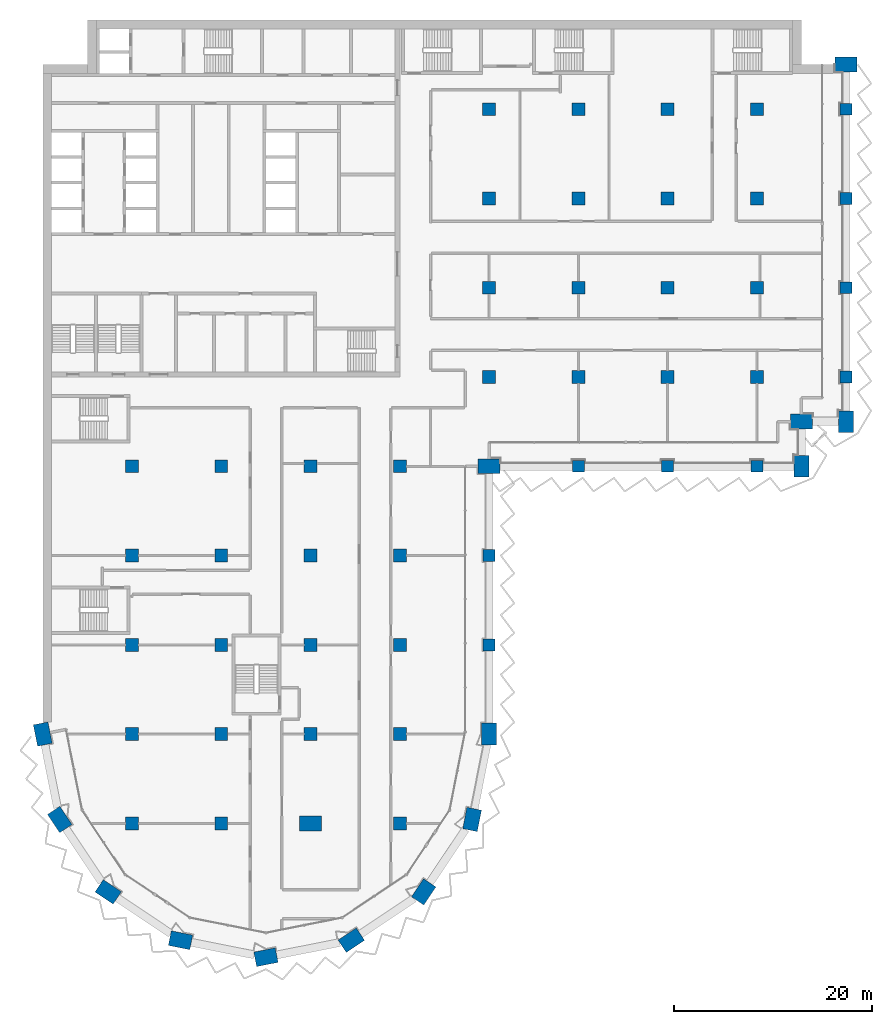
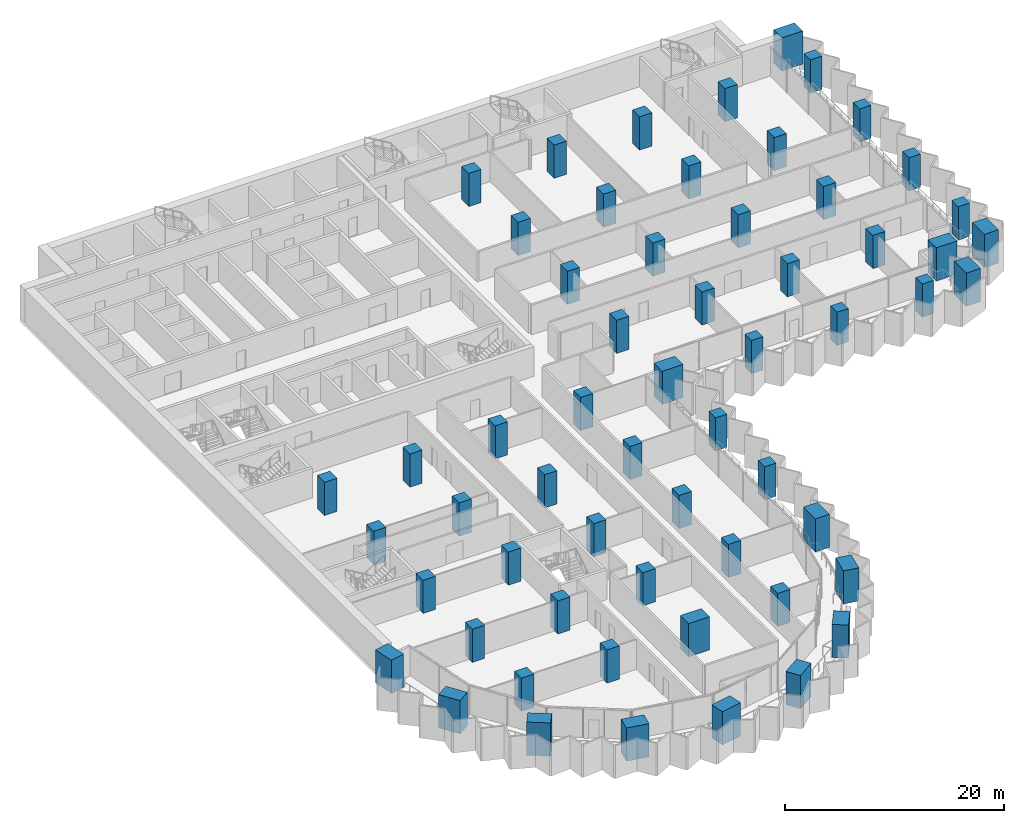
# One storey, part 1 of 23: 59 columns.
"""IFC4 building model written with IfcOpenShell, lengths in metres."""

import ifcopenshell
import ifcopenshell.guid

model = None  # the IFC model being written
_history = None  # IfcOwnerHistory: only IFC2X3 demands one
_inside = {}  # id of a spatial element -> (the spatial element, [elements in it])
_under = {}  # id of a project, library or spatial element -> (it, [spatial elements below it])
_declared = {}  # id of a project -> (the project, [libraries it declares])
_typed = {}  # id of a type object -> (the type object, [elements of that type])
_made_of = {}  # id of a material, layer set ... -> (it, [elements and type objects made of it])


def new_model(schema):
    """Start an empty IFC model of exactly this schema.

    Asked for "IFC4X3", IfcOpenShell would pick the latest addendum, in which some entities
    have other attributes; the version numbers below select the first issue.
    IFC2X3 requires an IfcOwnerHistory on every rooted entity: one is made here for all.
    """
    global model, _history
    if schema == "IFC4X3":
        model = ifcopenshell.file(schema_version=(4, 3, 0, 0))
    else:
        model = ifcopenshell.file(schema=schema)
    _inside.clear()
    _under.clear()
    _declared.clear()
    _typed.clear()
    _made_of.clear()
    _history = None
    if model.schema == "IFC2X3":
        org = make("IfcOrganization", Name="unknown")
        user = make(
            "IfcPersonAndOrganization",
            ThePerson=make("IfcPerson", FamilyName="unknown"),
            TheOrganization=org,
        )
        app = make(
            "IfcApplication",
            ApplicationDeveloper=org,
            Version="unknown",
            ApplicationFullName="unknown",
            ApplicationIdentifier="unknown",
        )
        _history = make(
            "IfcOwnerHistory",
            OwningUser=user,
            OwningApplication=app,
            ChangeAction="ADDED",
            CreationDate=0,
        )
    return model


def make(cls, **values):
    """One entity of the class cls with the attributes given. An attribute that is None is left unset."""
    return model.create_entity(
        cls, **{name: value for name, value in values.items() if value is not None}
    )


def rooted(cls, **values):
    """An entity with a GlobalId (a new one), such as an element, a storey or a relation."""
    return make(cls, GlobalId=ifcopenshell.guid.new(), OwnerHistory=_history, **values)


def si_unit(unit_type, name, prefix=None):
    """IfcSIUnit, for example si_unit("LENGTHUNIT", "METRE", prefix="MILLI")."""
    return make("IfcSIUnit", UnitType=unit_type, Prefix=prefix, Name=name)


def assignment(units):
    """IfcUnitAssignment: the units of a project."""
    return None if units is None else make("IfcUnitAssignment", Units=units)


def point(xyz):
    """IfcCartesianPoint."""
    return None if xyz is None else make("IfcCartesianPoint", Coordinates=xyz)


def direction(xyz):
    """IfcDirection."""
    return None if xyz is None else make("IfcDirection", DirectionRatios=xyz)


def frame(location, z_axis=None, x_axis=None):
    """IfcAxis2Placement3D, a coordinate frame: its origin and axes. An axis left out is left unset."""
    return make(
        "IfcAxis2Placement3D",
        Location=point(location),
        Axis=direction(z_axis),
        RefDirection=direction(x_axis),
    )


def frame_2d(location, x_axis=None):
    """IfcAxis2Placement2D, a coordinate frame in the plane: its origin and x axis."""
    return make(
        "IfcAxis2Placement2D", Location=point(location), RefDirection=direction(x_axis)
    )


def origin():
    """The frame at (0, 0, 0) with its axes left unset."""
    return frame((0.0, 0.0, 0.0))


def origin_2d():
    """The frame at (0, 0) in the plane with its x axis left unset."""
    return frame_2d((0.0, 0.0))


def place(relative_to, where):
    """IfcLocalPlacement: puts the frame where relative to a parent placement (None: the world)."""
    return make(
        "IfcLocalPlacement", PlacementRelTo=relative_to, RelativePlacement=where
    )


def context(
    kind, dimensions, precision=None, world=None, true_north=None, identifier=None
):
    """IfcGeometricRepresentationContext, for example the 3D "Model" context."""
    return make(
        "IfcGeometricRepresentationContext",
        ContextIdentifier=identifier,
        ContextType=kind,
        CoordinateSpaceDimension=dimensions,
        Precision=precision,
        WorldCoordinateSystem=world,
        TrueNorth=true_north,
    )


def subcontext(parent, identifier, kind, view, scale=None):
    """IfcGeometricRepresentationSubContext, for example "Body" below "Model"."""
    return make(
        "IfcGeometricRepresentationSubContext",
        ContextIdentifier=identifier,
        ContextType=kind,
        ParentContext=parent,
        TargetScale=scale,
        TargetView=view,
    )


def project(units=None, contexts=None):
    """IfcProject with its units and contexts."""
    return rooted(
        "IfcProject",
        Name="project",
        RepresentationContexts=contexts,
        UnitsInContext=assignment(units),
    )


def spatial(cls, under=None, at=None, **own):
    """A site, building, storey or space (cls), placed at a placement, below another one or the project."""
    s = rooted(cls, ObjectPlacement=at, **own)
    if under is not None:
        _under.setdefault(under.id(), (under, []))[1].append(s)
    return s


def profile(cls, at=None, kind="AREA", **sizes):
    """A parametric profile (cls). Its sizes go by their IFC names, for example OverallWidth=200.0."""
    return make(cls, ProfileType=kind, Position=at, **sizes)


def rectangle(**sizes):
    """IfcRectangleProfileDef."""
    return profile("IfcRectangleProfileDef", **sizes)


def extrude(swept, where, along, depth):
    """IfcExtrudedAreaSolid: the profile swept, set in the frame where, extruded along a direction by depth."""
    return make(
        "IfcExtrudedAreaSolid",
        SweptArea=swept,
        Position=where,
        ExtrudedDirection=direction(along),
        Depth=depth,
    )


def shape(context_of_items, identifier, shape_type, items):
    """IfcShapeRepresentation: the items that make up one representation, for example the "Body"."""
    return make(
        "IfcShapeRepresentation",
        ContextOfItems=context_of_items,
        RepresentationIdentifier=identifier,
        RepresentationType=shape_type,
        Items=items,
    )


def material(Name=None, Category=None):
    """IfcMaterial."""
    return make("IfcMaterial", Name=Name, Category=Category)


def material_profile(
    of_material, cross_section, Name=None, Category=None, Priority=None
):
    """IfcMaterialProfile: a cross section and its material."""
    return make(
        "IfcMaterialProfile",
        Name=Name,
        Material=of_material,
        Profile=cross_section,
        Priority=Priority,
        Category=Category,
    )


def profile_set(profiles, Name=None, composite=None):
    """IfcMaterialProfileSet."""
    return make(
        "IfcMaterialProfileSet",
        Name=Name,
        MaterialProfiles=profiles,
        CompositeProfile=composite,
    )


def made_of(thing, what):
    """Note that an element or type object is made of a material, layer set ...; save() writes the relation."""
    if what is not None:
        _made_of.setdefault(what.id(), (what, []))[1].append(thing)
    return thing


def type_object(cls, material=None, **own):
    """A type object (cls), such as IfcWallType, which elements share."""
    return made_of(rooted(cls, **own), material)


def element(
    cls,
    number,
    at=None,
    inside=None,
    cuts=None,
    type_object=None,
    material=None,
    context=None,
    identifier="Body",
    shape_type=None,
    held_by="IfcProductDefinitionShape",
    body=None,
    shapes=None,
    **own,
):
    """One element of the class cls, such as IfcWall. Its Tag is "e" and its number.

    at: its placement. inside: the storey or other place that contains it. cuts: it is an
    opening in that element (IfcRelVoidsElement). A single representation is given by context,
    identifier, shape_type and body (its items); several are given by shapes. held_by: the class
    of the entity that holds the representations. save() writes the other relations.
    """
    e = rooted(cls, Tag="e%d" % number, ObjectPlacement=at, **own)
    if body is not None:
        shapes = [shape(context, identifier, shape_type, body)]
    if shapes is not None:
        e.Representation = make(held_by, Representations=shapes)
    if inside is not None:
        _inside.setdefault(inside.id(), (inside, []))[1].append(e)
    if cuts is not None:
        rooted(
            "IfcRelVoidsElement", RelatingBuildingElement=cuts, RelatedOpeningElement=e
        )
    if type_object is not None:
        _typed.setdefault(type_object.id(), (type_object, []))[1].append(e)
    return made_of(e, material)


def aggregate(whole, parts):
    """IfcRelAggregates: a whole, such as a stair, and the parts it consists of."""
    return rooted("IfcRelAggregates", RelatingObject=whole, RelatedObjects=parts)


def save(model, path):
    """Write the relations noted so far, then the file.

    IfcRelAggregates (storeys below a building ...), IfcRelContainedInSpatialStructure (elements
    in a storey), IfcRelDefinesByType, IfcRelAssociatesMaterial and IfcRelDeclares: one each for
    every whole, place, type object, material and project.
    """
    for whole, parts in _under.values():
        aggregate(whole, parts)
    for where, things in _inside.values():
        rooted(
            "IfcRelContainedInSpatialStructure",
            RelatedElements=things,
            RelatingStructure=where,
        )
    for kind, things in _typed.values():
        rooted("IfcRelDefinesByType", RelatedObjects=things, RelatingType=kind)
    for what, things in _made_of.values():
        rooted("IfcRelAssociatesMaterial", RelatedObjects=things, RelatingMaterial=what)
    for by, libraries in _declared.values():
        rooted("IfcRelDeclares", RelatingContext=by, RelatedDefinitions=libraries)
    model.write(path)


model = new_model("IFC4")

# Units and contexts
model_context = context("Model", 3, precision=1e-05, world=origin(), true_north=direction((0.0, 1.0)))
body_context = subcontext(model_context, "Body", "Model", "MODEL_VIEW")
ifc_project = project(units=[si_unit("LENGTHUNIT", "METRE"), si_unit("AREAUNIT", "SQUARE_METRE"), si_unit("VOLUMEUNIT", "CUBIC_METRE"), si_unit("PLANEANGLEUNIT", "RADIAN"), si_unit("MASSUNIT", "GRAM", prefix="KILO")], contexts=[model_context])

# Site, building, storey
site_placement = place(None, origin())
site = spatial("IfcSite", under=ifc_project, at=site_placement, CompositionType="ELEMENT")
building_placement = place(site_placement, origin())
building = spatial("IfcBuilding", under=site, at=building_placement, Name="Hunhe Ridgeline Campus", CompositionType="ELEMENT")
storey_placement = place(building_placement, frame((0.0, 0.0, 99.60009765625)))
storey = spatial("IfcBuildingStorey", under=building, at=storey_placement, Name="L24", CompositionType="ELEMENT", Elevation=99.60009765625)

# Columns
ifc_material = material(Name="Concrete C70", Category="concrete")
ifc_material_profile_1 = material_profile(ifc_material, rectangle(XDim=2.199951171875, YDim=1.5, at=origin_2d()))
ifc_profile_set_1 = profile_set([ifc_material_profile_1], Name="Concrete C70")
column_type_1 = type_object("IfcColumnType", Name="Megacolumn 2200x1500 Concrete C70", PredefinedType="COLUMN", material=ifc_profile_set_1)
for number, where, z_axis, x_axis, name in (
    (1, (22.5, 4.5, 0.0), (0.0, 0.0, 1.0), (0.980785280403, 0.195090322016, 0.0), "Column C6 R1 L24"),
    (2, (13.8896484375, 6.212646484375, 0.0), (0.0, 0.0, 1.0), (-0.980785280403, 0.195090322016, 0.0), "Column C6 R2 L24"),
    (3, (31.1103515625, 6.212646484375, 0.0), (0.0, 0.0, 1.0), (0.831469612303, 0.55557023302, 0.0), "Column C6 R3 L24"),
    (4, (6.590087890625, 11.090087890625, 0.0), (0.0, 0.0, 1.0), (-0.831469612303, 0.55557023302, 0.0), "Column C6 R4 L24"),
    (5, (38.409912109375, 11.090087890625, 0.0), (0.0, 0.0, 1.0), (0.55557023302, 0.831469612303, 0.0), "Column C6 R5 L24"),
    (6, (1.712646484375, 18.3896484375, 0.0), (0.0, 0.0, 1.0), (-0.55557023302, 0.831469612303, 0.0), "Column C6 R9 L24"),
    (7, (43.287353515625, 18.3896484375, 0.0), (0.0, 0.0, 1.0), (0.195090322016, 0.980785280403, 0.0), "Column C6 R10 L24"),
    (8, (0.0, 27.0, 0.0), (0.0, 0.0, 1.0), (-0.195090322016, 0.980785280403, 0.0), "Column C6 D1 L24"),
    (9, (45.0, 27.0, 0.0), (0.0, 0.0, 1.0), (0.0, 1.0, 0.0), "Column C6 D6 L24"),
    (10, (45.0, 54.0, 0.0), (0.0, 0.0, 1.0), (1.0, 0.0, 0.0), "Column C6 G6 L24"),
    (11, (76.5, 54.0, 0.0), (0.0, 0.0, 1.0), (0.0, 1.0, 0.0), "Column C6 R31 L24"),
    (12, (76.5, 58.5, 0.0), (0.0, 0.0, 1.0), (1.0, 0.0, 0.0), "Column C6 R37 L24"),
    (13, (81.0, 58.5, 0.0), (0.0, 0.0, 1.0), (0.0, 1.0, 0.0), "Column C6 R38 L24"),
    (14, (81.0, 94.5, 0.0), (0.0, 0.0, 1.0), (1.0, 0.0, 0.0), "Column C6 R43 L24"),
    (15, (27.0, 18.0, 0.0), (0.0, 0.0, 1.0), (1.0, 0.0, 0.0), "Column C6 C4 L24"),
):
    element("IfcColumn", number, at=place(storey_placement, frame(where, z_axis=z_axis, x_axis=x_axis)), inside=storey, type_object=column_type_1, Name=name, PredefinedType="COLUMN", context=body_context, shape_type="SweptSolid", body=[
        extrude(rectangle(XDim=2.199951171875, YDim=1.5, at=origin_2d()), origin(), (0.0, 0.0, 1.0), 3.699951171875),
    ])
ifc_material_profile_2 = material_profile(ifc_material, rectangle(XDim=1.199951171875, YDim=1.199951171875, at=origin_2d()))
ifc_profile_set_2 = profile_set([ifc_material_profile_2], Name="Concrete C70")
column_type_2 = type_object("IfcColumnType", Name="RC column 1200x1200 Concrete C70", PredefinedType="COLUMN", material=ifc_profile_set_2)
for number, where, z_axis, x_axis, name in (
    (16, (45.0, 36.0, 0.0), (0.0, 0.0, 1.0), (1.0, 0.0, 0.0), "Column C7 E6 L24"),
    (17, (45.0, 45.0, 0.0), (0.0, 0.0, 1.0), (1.0, 0.0, 0.0), "Column C7 F6 L24"),
    (18, (54.0, 54.0, 0.0), (0.0, 0.0, 1.0), (1.0, 0.0, 0.0), "Column C7 G7 L24"),
    (19, (63.0, 54.0, 0.0), (0.0, 0.0, 1.0), (1.0, 0.0, 0.0), "Column C7 G8 L24"),
    (20, (72.0, 54.0, 0.0), (0.0, 0.0, 1.0), (1.0, 0.0, 0.0), "Column C7 G9 L24"),
    (21, (81.0, 63.0, 0.0), (0.0, 0.0, 1.0), (1.0, 0.0, 0.0), "Column C7 H10 L24"),
    (22, (81.0, 72.0, 0.0), (0.0, 0.0, 1.0), (1.0, 0.0, 0.0), "Column C7 I10 L24"),
    (23, (81.0, 81.0, 0.0), (0.0, 0.0, 1.0), (1.0, 0.0, 0.0), "Column C7 J10 L24"),
    (24, (81.0, 90.0, 0.0), (0.0, 0.0, 1.0), (1.0, 0.0, 0.0), "Column C7 K10 L24"),
):
    element("IfcColumn", number, at=place(storey_placement, frame(where, z_axis=z_axis, x_axis=x_axis)), inside=storey, type_object=column_type_2, Name=name, PredefinedType="COLUMN", context=body_context, shape_type="SweptSolid", body=[
        extrude(rectangle(XDim=1.199951171875, YDim=1.199951171875, at=origin_2d()), origin(), (0.0, 0.0, 1.0), 3.699951171875),
    ])
ifc_material_profile_3 = material_profile(ifc_material, rectangle(XDim=1.300048828125, YDim=1.300048828125, at=origin_2d()))
ifc_profile_set_3 = profile_set([ifc_material_profile_3], Name="Concrete C70")
column_type_3 = type_object("IfcColumnType", Name="RC column 1300x1300 Concrete C70", PredefinedType="COLUMN", material=ifc_profile_set_3)
for number, where, z_axis, x_axis, name in (
    (25, (9.0, 18.0, 0.0), (0.0, 0.0, 1.0), (1.0, 0.0, 0.0), "Column C8 C2 L24"),
    (26, (9.0, 27.0, 0.0), (0.0, 0.0, 1.0), (1.0, 0.0, 0.0), "Column C8 D2 L24"),
    (27, (9.0, 36.0, 0.0), (0.0, 0.0, 1.0), (1.0, 0.0, 0.0), "Column C8 E2 L24"),
    (28, (9.0, 45.0, 0.0), (0.0, 0.0, 1.0), (1.0, 0.0, 0.0), "Column C8 F2 L24"),
    (29, (9.0, 54.0, 0.0), (0.0, 0.0, 1.0), (1.0, 0.0, 0.0), "Column C8 G2 L24"),
    (30, (18.0, 18.0, 0.0), (0.0, 0.0, 1.0), (1.0, 0.0, 0.0), "Column C8 C3 L24"),
    (31, (18.0, 27.0, 0.0), (0.0, 0.0, 1.0), (1.0, 0.0, 0.0), "Column C8 D3 L24"),
    (32, (18.0, 36.0, 0.0), (0.0, 0.0, 1.0), (1.0, 0.0, 0.0), "Column C8 E3 L24"),
    (33, (18.0, 45.0, 0.0), (0.0, 0.0, 1.0), (1.0, 0.0, 0.0), "Column C8 F3 L24"),
    (34, (18.0, 54.0, 0.0), (0.0, 0.0, 1.0), (1.0, 0.0, 0.0), "Column C8 G3 L24"),
    (35, (27.0, 27.0, 0.0), (0.0, 0.0, 1.0), (1.0, 0.0, 0.0), "Column C8 D4 L24"),
    (36, (27.0, 36.0, 0.0), (0.0, 0.0, 1.0), (1.0, 0.0, 0.0), "Column C8 E4 L24"),
    (37, (27.0, 45.0, 0.0), (0.0, 0.0, 1.0), (1.0, 0.0, 0.0), "Column C8 F4 L24"),
    (38, (27.0, 54.0, 0.0), (0.0, 0.0, 1.0), (1.0, 0.0, 0.0), "Column C8 G4 L24"),
    (39, (36.0, 18.0, 0.0), (0.0, 0.0, 1.0), (1.0, 0.0, 0.0), "Column C8 C5 L24"),
    (40, (36.0, 27.0, 0.0), (0.0, 0.0, 1.0), (1.0, 0.0, 0.0), "Column C8 D5 L24"),
    (41, (36.0, 36.0, 0.0), (0.0, 0.0, 1.0), (1.0, 0.0, 0.0), "Column C8 E5 L24"),
    (42, (36.0, 45.0, 0.0), (0.0, 0.0, 1.0), (1.0, 0.0, 0.0), "Column C8 F5 L24"),
    (43, (36.0, 54.0, 0.0), (0.0, 0.0, 1.0), (1.0, 0.0, 0.0), "Column C8 G5 L24"),
    (44, (45.0, 63.0, 0.0), (0.0, 0.0, 1.0), (1.0, 0.0, 0.0), "Column C8 H6 L24"),
    (45, (45.0, 72.0, 0.0), (0.0, 0.0, 1.0), (1.0, 0.0, 0.0), "Column C8 I6 L24"),
    (46, (45.0, 81.0, 0.0), (0.0, 0.0, 1.0), (1.0, 0.0, 0.0), "Column C8 J6 L24"),
    (47, (45.0, 90.0, 0.0), (0.0, 0.0, 1.0), (1.0, 0.0, 0.0), "Column C8 K6 L24"),
    (48, (54.0, 63.0, 0.0), (0.0, 0.0, 1.0), (1.0, 0.0, 0.0), "Column C8 H7 L24"),
    (49, (54.0, 72.0, 0.0), (0.0, 0.0, 1.0), (1.0, 0.0, 0.0), "Column C8 I7 L24"),
    (50, (54.0, 81.0, 0.0), (0.0, 0.0, 1.0), (1.0, 0.0, 0.0), "Column C8 J7 L24"),
    (51, (54.0, 90.0, 0.0), (0.0, 0.0, 1.0), (1.0, 0.0, 0.0), "Column C8 K7 L24"),
    (52, (63.0, 63.0, 0.0), (0.0, 0.0, 1.0), (1.0, 0.0, 0.0), "Column C8 H8 L24"),
    (53, (63.0, 72.0, 0.0), (0.0, 0.0, 1.0), (1.0, 0.0, 0.0), "Column C8 I8 L24"),
    (54, (63.0, 81.0, 0.0), (0.0, 0.0, 1.0), (1.0, 0.0, 0.0), "Column C8 J8 L24"),
    (55, (63.0, 90.0, 0.0), (0.0, 0.0, 1.0), (1.0, 0.0, 0.0), "Column C8 K8 L24"),
    (56, (72.0, 63.0, 0.0), (0.0, 0.0, 1.0), (1.0, 0.0, 0.0), "Column C8 H9 L24"),
    (57, (72.0, 72.0, 0.0), (0.0, 0.0, 1.0), (1.0, 0.0, 0.0), "Column C8 I9 L24"),
    (58, (72.0, 81.0, 0.0), (0.0, 0.0, 1.0), (1.0, 0.0, 0.0), "Column C8 J9 L24"),
    (59, (72.0, 90.0, 0.0), (0.0, 0.0, 1.0), (1.0, 0.0, 0.0), "Column C8 K9 L24"),
):
    element("IfcColumn", number, at=place(storey_placement, frame(where, z_axis=z_axis, x_axis=x_axis)), inside=storey, type_object=column_type_3, Name=name, PredefinedType="COLUMN", context=body_context, shape_type="SweptSolid", body=[
        extrude(rectangle(XDim=1.300048828125, YDim=1.300048828125, at=origin_2d()), origin(), (0.0, 0.0, 1.0), 3.699951171875),
    ])

save(model, "model.ifc")
